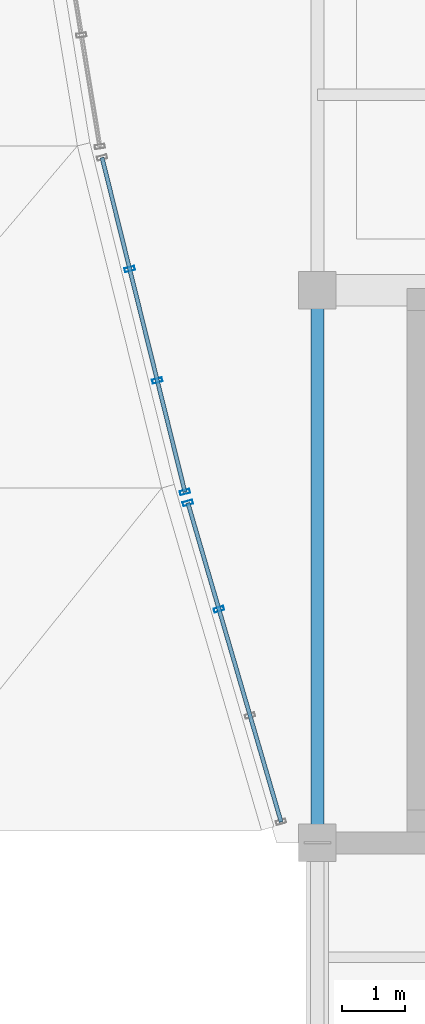
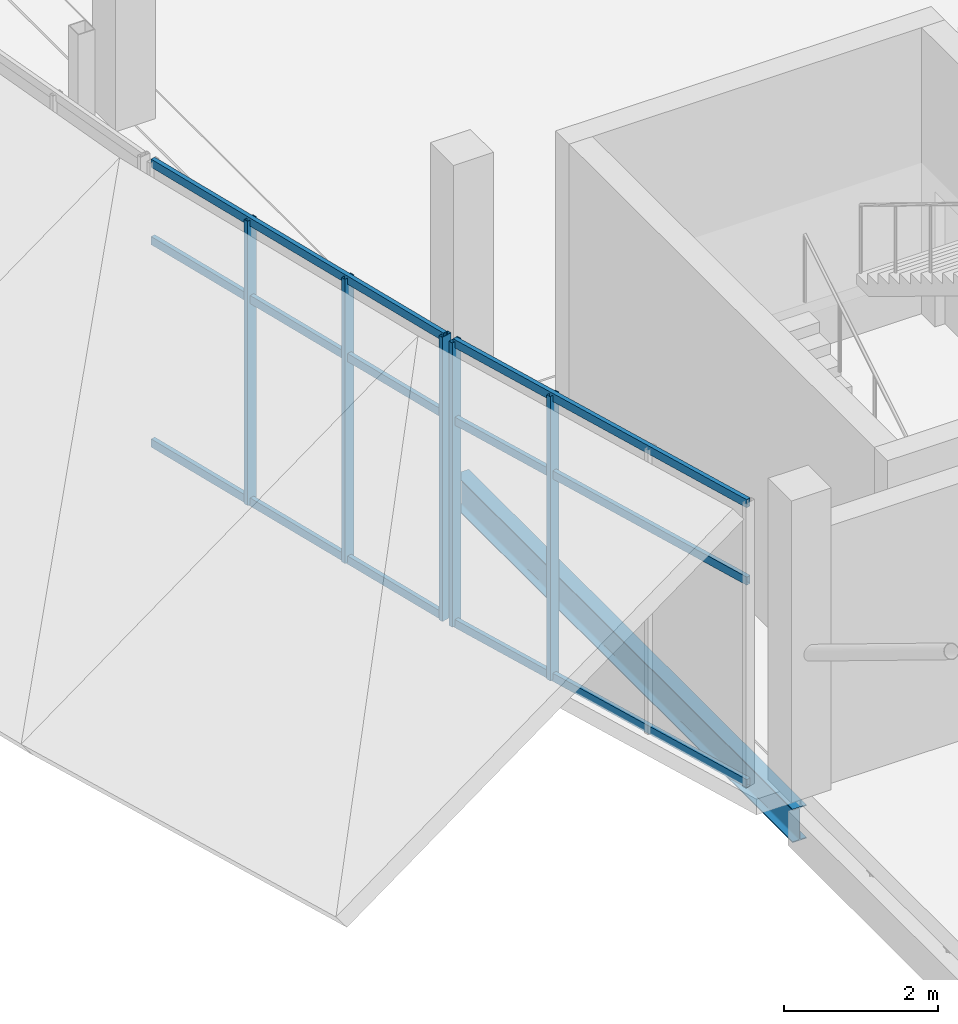
# One storey, part 17 of 116: 11 members, 1 beam, 2 elements without a shape of their own.
"""IFC4 building model written with IfcOpenShell, lengths in metres."""

from ifc_helpers import new_model, si_unit, direction, frame, origin, origin_2d, place, context, subcontext, project, spatial, hollow_rectangle, i_section, extrude, material, layer, layer_set, material_profile, profile_set, type_object, element, aggregate, save


model = new_model("IFC4")

# Units and contexts
model_context = context("Model", 3, precision=1e-05, world=origin(), true_north=direction((0.0, 1.0)))
body_context = subcontext(model_context, "Body", "Model", "MODEL_VIEW")
ifc_project = project(units=[si_unit("LENGTHUNIT", "METRE"), si_unit("AREAUNIT", "SQUARE_METRE"), si_unit("VOLUMEUNIT", "CUBIC_METRE"), si_unit("PLANEANGLEUNIT", "RADIAN"), si_unit("MASSUNIT", "GRAM", prefix="KILO")], contexts=[model_context])

# Site, building, storey
site_placement = place(None, origin())
site = spatial("IfcSite", under=ifc_project, at=site_placement, CompositionType="ELEMENT")
building_placement = place(site_placement, origin())
building = spatial("IfcBuilding", under=site, at=building_placement, Name="Chalmorin Arch Market", CompositionType="ELEMENT")
storey_placement = place(building_placement, origin())
storey = spatial("IfcBuildingStorey", under=building, at=storey_placement, Name="L00", CompositionType="ELEMENT", Elevation=0.0)

# Curtain wall, members
ifc_material_1 = material(Name="Aluminium 6063-T6", Category="aluminium")
ifc_layer_1 = layer(ifc_material_1, 0.159912109375)
ifc_layer_set_1 = layer_set([ifc_layer_1], Name="Aluminium 6063-T6")
curtain_wall_type_1 = type_object("IfcCurtainWallType", Name="RiverfrontStorefrontCurtainWall-CW2-5290x4520", PredefinedType="NOTDEFINED", material=ifc_layer_set_1)
curtain_wall_1_placement = place(storey_placement, origin())
curtain_wall_1 = element("IfcCurtainWall", 1, at=curtain_wall_1_placement, inside=storey, type_object=curtain_wall_type_1, Name="CW-02-045", PredefinedType="NOTDEFINED")
ifc_material_profile_1 = material_profile(ifc_material_1, hollow_rectangle(XDim=0.06494140625, YDim=0.159912109375, WallThickness=0.00390625, at=origin_2d()), Name="ALU65X160X4")
ifc_profile_set_1 = profile_set([ifc_material_profile_1], Name="Aluminium 6063-T6")
member_type_1 = type_object("IfcMemberType", Name="CurtainWallMullion-65x160", PredefinedType="MULLION", material=ifc_profile_set_1)
member_1_placement = place(storey_placement, frame((-1.56689453125, 9.72021484375, 0.0), z_axis=(0.0, 0.0, 1.0), x_axis=(-0.275637355817, 0.961261695938, 0.0)))
member_1 = element("IfcMember", 2, at=member_1_placement, type_object=member_type_1, Name="ML-045-03", PredefinedType="MULLION", context=body_context, shape_type="SweptSolid", body=[
    extrude(hollow_rectangle(XDim=0.06494140625, YDim=0.159912109375, WallThickness=0.00390625, at=origin_2d()), origin(), (0.0, 0.0, 1.0), 4.52001953125),
])
member_2_placement = place(storey_placement, frame((-2.061767578125, 11.41357421875, 0.0), z_axis=(0.0, 0.0, 1.0), x_axis=(-0.275637355817, 0.961261695938, 0.0)))
member_2 = element("IfcMember", 3, at=member_2_placement, type_object=member_type_1, Name="ML-045-04", PredefinedType="MULLION", context=body_context, shape_type="SweptSolid", body=[
    extrude(hollow_rectangle(XDim=0.06494140625, YDim=0.159912109375, WallThickness=0.00390625, at=origin_2d()), origin(), (0.0, 0.0, 1.0), 4.52001953125),
])

ifc_layer_2 = layer(ifc_material_1, 0.159912109375)
ifc_layer_set_2 = layer_set([ifc_layer_2], Name="Aluminium 6063-T6")
curtain_wall_type_2 = type_object("IfcCurtainWallType", Name="RiverfrontStorefrontCurtainWall-CW2-5490x4520", PredefinedType="NOTDEFINED", material=ifc_layer_set_2)
curtain_wall_2_placement = place(storey_placement, origin())
curtain_wall_2 = element("IfcCurtainWall", 4, at=curtain_wall_2_placement, inside=storey, type_object=curtain_wall_type_2, Name="CW-02-048", PredefinedType="NOTDEFINED")
member_3_placement = place(storey_placement, frame((-2.108642578125, 11.58740234375, 0.0), z_axis=(0.0, 0.0, 1.0), x_axis=(-0.2419218956, 0.970295726276, 0.0)))
member_3 = element("IfcMember", 5, at=member_3_placement, type_object=member_type_1, Name="ML-048-01", PredefinedType="MULLION", context=body_context, shape_type="SweptSolid", body=[
    extrude(hollow_rectangle(XDim=0.06494140625, YDim=0.159912109375, WallThickness=0.00390625, at=origin_2d()), origin(), (0.0, 0.0, 1.0), 4.52001953125),
])
member_4_placement = place(storey_placement, frame((-2.548583984375, 13.362548828125, 0.0), z_axis=(0.0, 0.0, 1.0), x_axis=(-0.2419218956, 0.970295726276, 0.0)))
member_4 = element("IfcMember", 6, at=member_4_placement, type_object=member_type_1, Name="ML-048-02", PredefinedType="MULLION", context=body_context, shape_type="SweptSolid", body=[
    extrude(hollow_rectangle(XDim=0.06494140625, YDim=0.159912109375, WallThickness=0.00390625, at=origin_2d()), origin(), (0.0, 0.0, 1.0), 4.52001953125),
])
member_5_placement = place(storey_placement, frame((-2.988525390625, 15.137451171875, 0.0), z_axis=(0.0, 0.0, 1.0), x_axis=(-0.2419218956, 0.970295726276, 0.0)))
member_5 = element("IfcMember", 7, at=member_5_placement, type_object=member_type_1, Name="ML-048-03", PredefinedType="MULLION", context=body_context, shape_type="SweptSolid", body=[
    extrude(hollow_rectangle(XDim=0.06494140625, YDim=0.159912109375, WallThickness=0.00390625, at=origin_2d()), origin(), (0.0, 0.0, 1.0), 4.52001953125),
])

# Member
ifc_material_profile_2 = material_profile(ifc_material_1, hollow_rectangle(XDim=0.06494140625, YDim=0.1298828125, WallThickness=0.00390625, at=origin_2d()), Name="ALU65X130X4")
ifc_profile_set_2 = profile_set([ifc_material_profile_2], Name="Aluminium 6063-T6")
member_type_2 = type_object("IfcMemberType", Name="CurtainWallTransom-65x130", PredefinedType="USERDEFINED", material=ifc_profile_set_2)
member_6_placement = place(storey_placement, frame((-0.577392578125, 6.33349609375, 0.034912109375), z_axis=(-0.280467609614, 0.959863490272, 0.0), x_axis=(-0.959863490272, -0.280467609614, 0.0)))
member_6 = element("IfcMember", 8, at=member_6_placement, type_object=member_type_2, Name="TR-045-01", ObjectType="TRANSOM", PredefinedType="USERDEFINED", context=body_context, shape_type="SweptSolid", body=[
    extrude(hollow_rectangle(XDim=0.06494140625, YDim=0.1298828125, WallThickness=0.00390625, at=origin_2d()), origin(), (0.0, 0.0, 1.0), 5.29248046875),
])

member_7_placement = place(storey_placement, frame((-0.577392578125, 6.33349609375, 3.25439453125), z_axis=(-0.280467609614, 0.959863490272, 0.0), x_axis=(-0.959863490272, -0.280467609614, 0.0)))
member_7 = element("IfcMember", 9, at=member_7_placement, type_object=member_type_2, Name="TR-045-02", ObjectType="TRANSOM", PredefinedType="USERDEFINED", context=body_context, shape_type="SweptSolid", body=[
    extrude(hollow_rectangle(XDim=0.06494140625, YDim=0.1298828125, WallThickness=0.00390625, at=origin_2d()), origin(), (0.0, 0.0, 1.0), 5.29248046875),
])

member_8_placement = place(storey_placement, frame((-0.577392578125, 6.33349609375, 4.485107421875), z_axis=(-0.280467609614, 0.959863490272, 0.0), x_axis=(-0.959863490272, -0.280467609614, 0.0)))
member_8 = element("IfcMember", 10, at=member_8_placement, type_object=member_type_2, Name="TR-045-03", ObjectType="TRANSOM", PredefinedType="USERDEFINED", context=body_context, shape_type="SweptSolid", body=[
    extrude(hollow_rectangle(XDim=0.06494140625, YDim=0.1298828125, WallThickness=0.00390625, at=origin_2d()), origin(), (0.0, 0.0, 1.0), 5.29248046875),
])

aggregate(curtain_wall_1, [member_1, member_2, member_6, member_7, member_8])

member_9_placement = place(storey_placement, frame((-2.108642578125, 11.58740234375, 0.034912109375), z_axis=(-0.240566657981, 0.970632620031, 0.0), x_axis=(-0.970632620031, -0.240566657981, 0.0)))
member_9 = element("IfcMember", 11, at=member_9_placement, type_object=member_type_2, Name="TR-048-01", ObjectType="TRANSOM", PredefinedType="USERDEFINED", context=body_context, shape_type="SweptSolid", body=[
    extrude(hollow_rectangle(XDim=0.06494140625, YDim=0.1298828125, WallThickness=0.00390625, at=origin_2d()), origin(), (0.0, 0.0, 1.0), 5.486328125),
])

member_10_placement = place(storey_placement, frame((-2.108642578125, 11.58740234375, 3.25439453125), z_axis=(-0.240566657981, 0.970632620031, 0.0), x_axis=(-0.970632620031, -0.240566657981, 0.0)))
member_10 = element("IfcMember", 12, at=member_10_placement, type_object=member_type_2, Name="TR-048-02", ObjectType="TRANSOM", PredefinedType="USERDEFINED", context=body_context, shape_type="SweptSolid", body=[
    extrude(hollow_rectangle(XDim=0.06494140625, YDim=0.1298828125, WallThickness=0.00390625, at=origin_2d()), origin(), (0.0, 0.0, 1.0), 5.486328125),
])

member_11_placement = place(storey_placement, frame((-2.108642578125, 11.58740234375, 4.485107421875), z_axis=(-0.240566657981, 0.970632620031, 0.0), x_axis=(-0.970632620031, -0.240566657981, 0.0)))
member_11 = element("IfcMember", 13, at=member_11_placement, type_object=member_type_2, Name="TR-048-03", ObjectType="TRANSOM", PredefinedType="USERDEFINED", context=body_context, shape_type="SweptSolid", body=[
    extrude(hollow_rectangle(XDim=0.06494140625, YDim=0.1298828125, WallThickness=0.00390625, at=origin_2d()), origin(), (0.0, 0.0, 1.0), 5.486328125),
])

aggregate(curtain_wall_2, [member_3, member_4, member_5, member_9, member_10, member_11])

# Beam
ifc_material_2 = material(Name="Steel A992 Grade 50", Category="steel")
ifc_material_profile_3 = material_profile(ifc_material_2, i_section(OverallWidth=0.208984375, OverallDepth=0.532958984375, WebThickness=0.01025390625, FlangeThickness=0.015625, FilletRadius=0.02197265625, at=origin_2d()), Name="W21X62")
ifc_profile_set_3 = profile_set([ifc_material_profile_3], Name="Steel A992 Grade 50")
beam_type = type_object("IfcBeamType", Name="PerimeterSpandrelBeam-W21X62", PredefinedType="SPANDREL", material=ifc_profile_set_3)
beam_placement = place(storey_placement, frame((0.0, 6.0, -0.618408203125), z_axis=(0.0, 1.0, 0.0), x_axis=(-1.0, 0.0, 0.0)))
element("IfcBeam", 14, at=beam_placement, inside=storey, type_object=beam_type, Name="SP-W21-0203", PredefinedType="SPANDREL", context=body_context, shape_type="SweptSolid", body=[
    extrude(i_section(OverallWidth=0.208984375, OverallDepth=0.532958984375, WebThickness=0.01025390625, FlangeThickness=0.015625, FilletRadius=0.02197265625, at=origin_2d()), origin(), (0.0, 0.0, 1.0), 8.800048828125),
])

save(model, "model.ifc")
